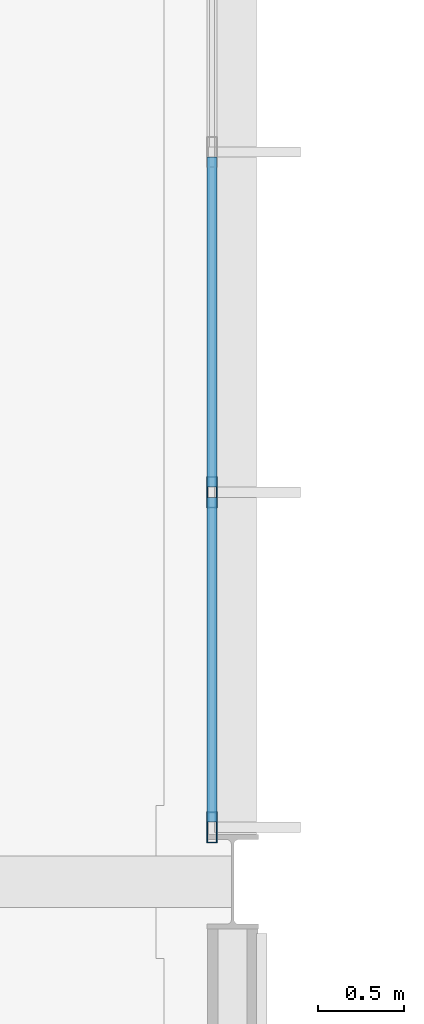
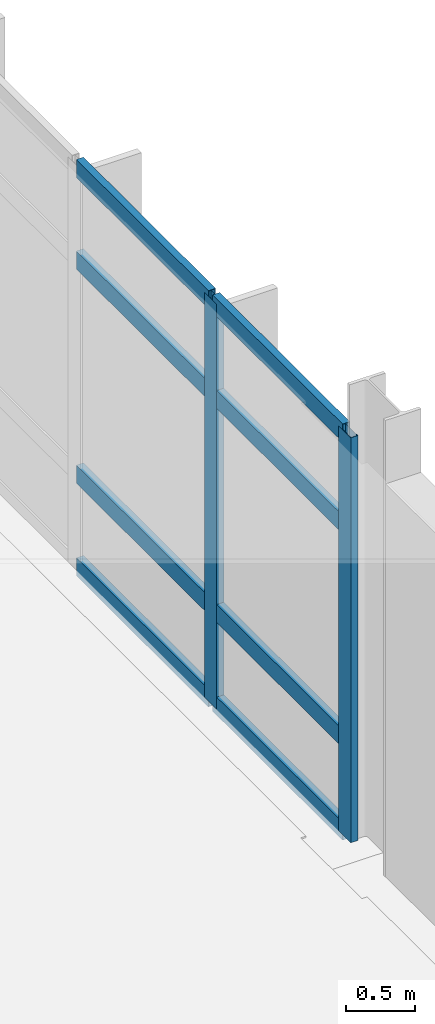
# One storey, part 61 of 131: 10 members, 1 element without a shape of its own.
"""IFC4 building model written with IfcOpenShell, lengths in metres."""

from ifc_helpers import new_model, si_unit, direction, frame, origin, origin_2d, place, context, subcontext, project, spatial, hollow_rectangle, extrude, material, material_profile, profile_set, type_object, element, aggregate, save


model = new_model("IFC4")

# Units and contexts
model_context = context("Model", 3, precision=1e-05, world=origin(), true_north=direction((0.0, 1.0)))
body_context = subcontext(model_context, "Body", "Model", "MODEL_VIEW")
ifc_project = project(units=[si_unit("LENGTHUNIT", "METRE"), si_unit("AREAUNIT", "SQUARE_METRE"), si_unit("VOLUMEUNIT", "CUBIC_METRE"), si_unit("PLANEANGLEUNIT", "RADIAN"), si_unit("MASSUNIT", "GRAM", prefix="KILO")], contexts=[model_context])

# Site, building, storey
site_placement = place(None, origin())
site = spatial("IfcSite", under=ifc_project, at=site_placement, CompositionType="ELEMENT")
building_placement = place(site_placement, origin())
building = spatial("IfcBuilding", under=site, at=building_placement, Name="Mersafa Astral City Hall", CompositionType="ELEMENT")
storey_placement = place(building_placement, frame((0.0, 0.0, 13.949951171875)))
storey = spatial("IfcBuildingStorey", under=building, at=storey_placement, Name="L03", CompositionType="ELEMENT", Elevation=13.949951171875)

# Curtain wall, members
ifc_material = material(Name="Anodised bronze aluminium framing", Category="aluminium")
curtain_wall_type = type_object("IfcCurtainWallType", Name="ENV-CW-1", PredefinedType="USERDEFINED", material=ifc_material)
curtain_wall_placement = place(storey_placement, origin())
curtain_wall = element("IfcCurtainWall", 1, at=curtain_wall_placement, inside=storey, type_object=curtain_wall_type, Name="L03 Unitised solar curtain wall 156", ObjectType="UNITISED CURTAIN WALL", PredefinedType="USERDEFINED")
ifc_material_profile_1 = material_profile(ifc_material, hollow_rectangle(XDim=0.06005859375, YDim=0.179931640625, WallThickness=0.00390625, at=origin_2d()), Name="RHS 60x180x4")
ifc_profile_set_1 = profile_set([ifc_material_profile_1], Name="Anodised bronze aluminium framing")
member_type_1 = type_object("IfcMemberType", Name="ENV-CW-MUL-1", PredefinedType="MULLION", material=ifc_profile_set_1)
member_1_placement = place(storey_placement, frame((117.47998046875, 92.717041015625, -0.001953125), z_axis=(0.0, 0.0, 1.0), x_axis=(-1.0, 0.0, 0.0)))
member_1 = element("IfcMember", 2, at=member_1_placement, type_object=member_type_1, Name="CW-1 mullion 1", PredefinedType="MULLION", context=body_context, shape_type="SweptSolid", body=[
    extrude(hollow_rectangle(XDim=0.06005859375, YDim=0.179931640625, WallThickness=0.00390625, at=origin_2d()), origin(), (0.0, 0.0, 1.0), 3.593994140625),
])
member_2_placement = place(storey_placement, frame((117.47998046875, 94.667236328125, -0.001953125), z_axis=(0.0, 0.0, 1.0), x_axis=(-1.0, 0.0, 0.0)))
member_2 = element("IfcMember", 3, at=member_2_placement, type_object=member_type_1, Name="CW-1 mullion 2", PredefinedType="MULLION", context=body_context, shape_type="SweptSolid", body=[
    extrude(hollow_rectangle(XDim=0.06005859375, YDim=0.179931640625, WallThickness=0.00390625, at=origin_2d()), origin(), (0.0, 0.0, 1.0), 3.593994140625),
])
ifc_material_profile_2 = material_profile(ifc_material, hollow_rectangle(XDim=0.06005859375, YDim=0.159912109375, WallThickness=0.00390625, at=origin_2d()), Name="RHS 60x160x4")
ifc_profile_set_2 = profile_set([ifc_material_profile_2], Name="Anodised bronze aluminium framing")
member_type_2 = type_object("IfcMemberType", Name="ENV-CW-TRN-2", PredefinedType="USERDEFINED", material=ifc_profile_set_2)
member_3_placement = place(storey_placement, frame((117.47998046875, 92.7470703125, 0.028076171875), z_axis=(0.0, 1.0, 0.0), x_axis=(-1.0, 0.0, 0.0)))
member_3 = element("IfcMember", 4, at=member_3_placement, type_object=member_type_2, Name="CW-1 transom 1.1", ObjectType="TRANSOM", PredefinedType="USERDEFINED", context=body_context, shape_type="SweptSolid", body=[
    extrude(hollow_rectangle(XDim=0.06005859375, YDim=0.159912109375, WallThickness=0.00390625, at=origin_2d()), origin(), (0.0, 0.0, 1.0), 1.89013671875),
])
member_4_placement = place(storey_placement, frame((117.47998046875, 92.7470703125, 0.85009765625), z_axis=(0.0, 1.0, 0.0), x_axis=(-1.0, 0.0, 0.0)))
member_4 = element("IfcMember", 5, at=member_4_placement, type_object=member_type_2, Name="CW-1 transom 1.2", ObjectType="TRANSOM", PredefinedType="USERDEFINED", context=body_context, shape_type="SweptSolid", body=[
    extrude(hollow_rectangle(XDim=0.06005859375, YDim=0.159912109375, WallThickness=0.00390625, at=origin_2d()), origin(), (0.0, 0.0, 1.0), 1.89013671875),
])
member_5_placement = place(storey_placement, frame((117.47998046875, 92.7470703125, 2.75), z_axis=(0.0, 1.0, 0.0), x_axis=(-1.0, 0.0, 0.0)))
member_5 = element("IfcMember", 6, at=member_5_placement, type_object=member_type_2, Name="CW-1 transom 1.3", ObjectType="TRANSOM", PredefinedType="USERDEFINED", context=body_context, shape_type="SweptSolid", body=[
    extrude(hollow_rectangle(XDim=0.06005859375, YDim=0.159912109375, WallThickness=0.00390625, at=origin_2d()), origin(), (0.0, 0.0, 1.0), 1.89013671875),
])
member_6_placement = place(storey_placement, frame((117.47998046875, 92.7470703125, 3.56201171875), z_axis=(0.0, 1.0, 0.0), x_axis=(-1.0, 0.0, 0.0)))
member_6 = element("IfcMember", 7, at=member_6_placement, type_object=member_type_2, Name="CW-1 transom 1.4", ObjectType="TRANSOM", PredefinedType="USERDEFINED", context=body_context, shape_type="SweptSolid", body=[
    extrude(hollow_rectangle(XDim=0.06005859375, YDim=0.159912109375, WallThickness=0.00390625, at=origin_2d()), origin(), (0.0, 0.0, 1.0), 1.89013671875),
])
member_7_placement = place(storey_placement, frame((117.47998046875, 94.697265625, 0.028076171875), z_axis=(0.0, 1.0, 0.0), x_axis=(-1.0, 0.0, 0.0)))
member_7 = element("IfcMember", 8, at=member_7_placement, type_object=member_type_2, Name="CW-1 transom 2.1", ObjectType="TRANSOM", PredefinedType="USERDEFINED", context=body_context, shape_type="SweptSolid", body=[
    extrude(hollow_rectangle(XDim=0.06005859375, YDim=0.159912109375, WallThickness=0.00390625, at=origin_2d()), origin(), (0.0, 0.0, 1.0), 1.920166015625),
])
member_8_placement = place(storey_placement, frame((117.47998046875, 94.697265625, 0.85009765625), z_axis=(0.0, 1.0, 0.0), x_axis=(-1.0, 0.0, 0.0)))
member_8 = element("IfcMember", 9, at=member_8_placement, type_object=member_type_2, Name="CW-1 transom 2.2", ObjectType="TRANSOM", PredefinedType="USERDEFINED", context=body_context, shape_type="SweptSolid", body=[
    extrude(hollow_rectangle(XDim=0.06005859375, YDim=0.159912109375, WallThickness=0.00390625, at=origin_2d()), origin(), (0.0, 0.0, 1.0), 1.920166015625),
])
member_9_placement = place(storey_placement, frame((117.47998046875, 94.697265625, 2.75), z_axis=(0.0, 1.0, 0.0), x_axis=(-1.0, 0.0, 0.0)))
member_9 = element("IfcMember", 10, at=member_9_placement, type_object=member_type_2, Name="CW-1 transom 2.3", ObjectType="TRANSOM", PredefinedType="USERDEFINED", context=body_context, shape_type="SweptSolid", body=[
    extrude(hollow_rectangle(XDim=0.06005859375, YDim=0.159912109375, WallThickness=0.00390625, at=origin_2d()), origin(), (0.0, 0.0, 1.0), 1.920166015625),
])
member_10_placement = place(storey_placement, frame((117.47998046875, 94.697265625, 3.56201171875), z_axis=(0.0, 1.0, 0.0), x_axis=(-1.0, 0.0, 0.0)))
member_10 = element("IfcMember", 11, at=member_10_placement, type_object=member_type_2, Name="CW-1 transom 2.4", ObjectType="TRANSOM", PredefinedType="USERDEFINED", context=body_context, shape_type="SweptSolid", body=[
    extrude(hollow_rectangle(XDim=0.06005859375, YDim=0.159912109375, WallThickness=0.00390625, at=origin_2d()), origin(), (0.0, 0.0, 1.0), 1.920166015625),
])
aggregate(curtain_wall, [member_1, member_2, member_3, member_4, member_5, member_6, member_7, member_8, member_9, member_10])

save(model, "model.ifc")
